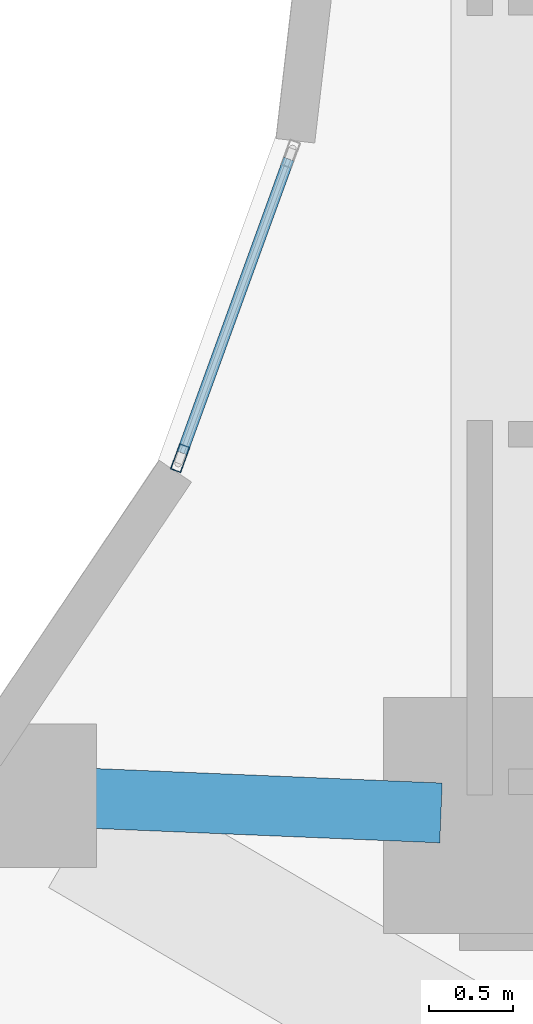
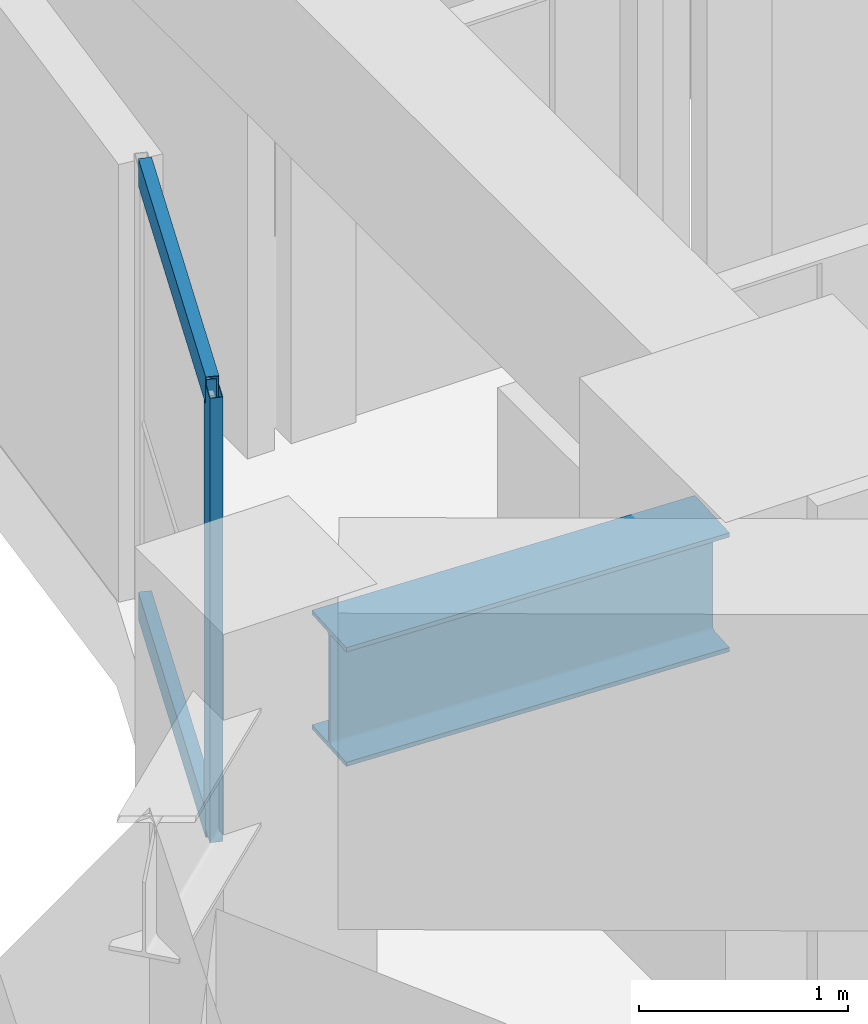
# One storey, part 3 of 19: 3 members, 1 beam, 1 element without a shape of its own.
"""IFC4 building model written with IfcOpenShell, lengths in metres."""

from ifc_helpers import new_model, si_unit, direction, frame, origin, origin_2d, place, context, subcontext, project, spatial, hollow_rectangle, i_section, extrude, material, layer, layer_set, material_profile, profile_set, type_object, element, aggregate, save


model = new_model("IFC4")

# Units and contexts
model_context = context("Model", 3, precision=1e-05, world=origin(), true_north=direction((0.0, 1.0)))
body_context = subcontext(model_context, "Body", "Model", "MODEL_VIEW")
ifc_project = project(units=[si_unit("LENGTHUNIT", "METRE"), si_unit("AREAUNIT", "SQUARE_METRE"), si_unit("VOLUMEUNIT", "CUBIC_METRE"), si_unit("PLANEANGLEUNIT", "RADIAN"), si_unit("MASSUNIT", "GRAM", prefix="KILO")], contexts=[model_context])

# Site, building, storey
site_placement = place(None, origin())
site = spatial("IfcSite", under=ifc_project, at=site_placement, CompositionType="ELEMENT")
building_placement = place(site_placement, origin())
building = spatial("IfcBuilding", under=site, at=building_placement, Name="Solvane Sanctuary Tower", CompositionType="ELEMENT")
storey_placement = place(building_placement, frame((0.0, 0.0, 73.199951171875)))
storey = spatial("IfcBuildingStorey", under=building, at=storey_placement, Name="L21", CompositionType="ELEMENT", Elevation=73.199951171875)

# Beam
ifc_material_1 = material(Name="Steel ASTM A992 Grade 50", Category="steel")
ifc_material_profile_1 = material_profile(ifc_material_1, i_section(OverallWidth=0.35498046875, OverallDepth=0.695068359375, WebThickness=0.015380859375, FlangeThickness=0.02490234375, FilletRadius=0.01806640625, at=origin_2d()), Name="W27X146")
ifc_profile_set_1 = profile_set([ifc_material_profile_1], Name="Steel ASTM A992 Grade 50")
beam_type = type_object("IfcBeamType", Name="Beam B-RING-IN1 W27X146", PredefinedType="BEAM", material=ifc_profile_set_1)
beam_placement = place(storey_placement, frame((37.669677734375, 17.00146484375, 2.25048828125), z_axis=(0.999130007788, -0.041704047018, 0.0), x_axis=(0.041704047018, 0.999130007788, 0.0)))
element("IfcBeam", 1, at=beam_placement, inside=storey, type_object=beam_type, Name="L21 Inner Light-Well Ring Beam IC14-CE1", PredefinedType="BEAM", context=body_context, shape_type="SweptSolid", body=[
    extrude(i_section(OverallWidth=0.35498046875, OverallDepth=0.695068359375, WebThickness=0.015380859375, FlangeThickness=0.02490234375, FilletRadius=0.01806640625, at=origin_2d()), origin(), (0.0, 0.0, 1.0), 2.072265625),
])

# Curtain wall, members
ifc_material_2 = material(Name="Anodised Aluminium 6063-T6", Category="aluminium")
ifc_layer = layer(ifc_material_2, 0.199951171875, Name="Anodised Aluminium 6063-T6")
ifc_layer_set = layer_set([ifc_layer], Name="Anodised Aluminium 6063-T6")
curtain_wall_type = type_object("IfcCurtainWallType", Name="Curtain Wall CW-WELL", PredefinedType="NOTDEFINED", material=ifc_layer_set)
curtain_wall_placement = place(storey_placement, origin())
curtain_wall = element("IfcCurtainWall", 2, at=curtain_wall_placement, inside=storey, type_object=curtain_wall_type, Name="L21 Light-Well Glazed Curtain Wall 22", PredefinedType="NOTDEFINED")
ifc_material_profile_2 = material_profile(ifc_material_2, hollow_rectangle(XDim=0.06494140625, YDim=0.159912109375, WallThickness=0.00341796875, at=origin_2d()), Name="ALU160X65X3.5")
ifc_profile_set_2 = profile_set([ifc_material_profile_2], Name="Anodised Aluminium 6063-T6")
member_type_1 = type_object("IfcMemberType", Name="Member M-CW-MUL-2 ALU160X65X3.5", PredefinedType="MULLION", material=ifc_profile_set_2)
member_1_placement = place(storey_placement, frame((38.1943359375, 19.017578125, 0.0), z_axis=(0.0, 0.0, 1.0), x_axis=(-0.939933181429, 0.341358483781, 0.0)))
member_1 = element("IfcMember", 3, at=member_1_placement, type_object=member_type_1, Name="CW-WELL mullion 1", PredefinedType="MULLION", context=body_context, shape_type="SweptSolid", body=[
    extrude(hollow_rectangle(XDim=0.06494140625, YDim=0.159912109375, WallThickness=0.00341796875, at=origin_2d()), origin(), (0.0, 0.0, 1.0), 2.60009765625),
])
ifc_material_profile_3 = material_profile(ifc_material_2, hollow_rectangle(XDim=0.06494140625, YDim=0.159912109375, WallThickness=0.00341796875, at=origin_2d()), Name="ALU160X65X3.5")
ifc_profile_set_3 = profile_set([ifc_material_profile_3], Name="Anodised Aluminium 6063-T6")
member_type_2 = type_object("IfcMemberType", Name="Member M-CW-TRN-1 ALU160X65X3.5", PredefinedType="USERDEFINED", material=ifc_profile_set_3)
member_2_placement = place(storey_placement, frame((38.205322265625, 19.048095703125, 0.032470703125), z_axis=(0.341404620561, 0.939916424508, 0.0), x_axis=(-0.939916424508, 0.341404620561, 0.0)))
member_2 = element("IfcMember", 4, at=member_2_placement, type_object=member_type_2, Name="CW-WELL transom 1.1", ObjectType="TRANSOM", PredefinedType="USERDEFINED", context=body_context, shape_type="SweptSolid", body=[
    extrude(hollow_rectangle(XDim=0.06494140625, YDim=0.159912109375, WallThickness=0.00341796875, at=origin_2d()), origin(), (0.0, 0.0, 1.0), 1.853515625),
])
member_3_placement = place(storey_placement, frame((38.205322265625, 19.048095703125, 2.567626953125), z_axis=(0.341404620561, 0.939916424508, 0.0), x_axis=(-0.939916424508, 0.341404620561, 0.0)))
member_3 = element("IfcMember", 5, at=member_3_placement, type_object=member_type_2, Name="CW-WELL transom 1.2", ObjectType="TRANSOM", PredefinedType="USERDEFINED", context=body_context, shape_type="SweptSolid", body=[
    extrude(hollow_rectangle(XDim=0.06494140625, YDim=0.159912109375, WallThickness=0.00341796875, at=origin_2d()), origin(), (0.0, 0.0, 1.0), 1.853515625),
])
aggregate(curtain_wall, [member_1, member_2, member_3])

save(model, "model.ifc")
